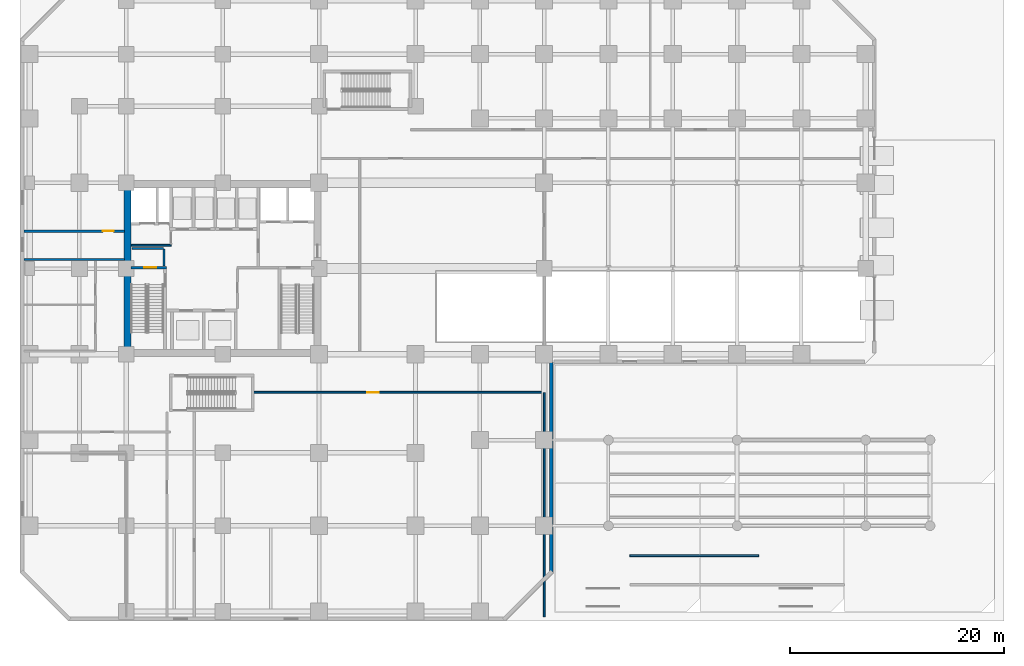
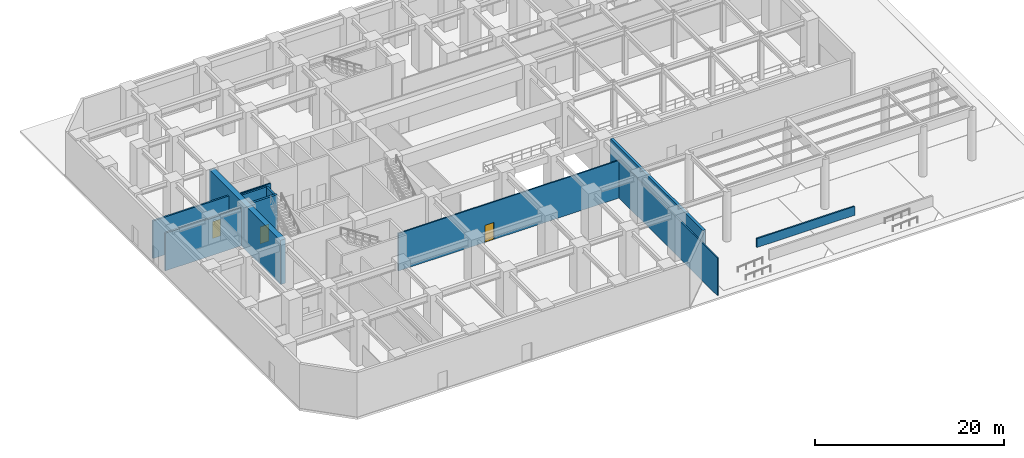
# One storey, part 5 of 13: 11 walls, 3 doors, 3 openings.
"""IFC4 building model written with IfcOpenShell, lengths in metres."""

from ifc_helpers import new_model, si_unit, direction, frame, frame_2d, origin, place, context, subcontext, project, spatial, rectangle, extrude, source, transform, mapped, material, layer, layer_set, type_object, element, fill, save


model = new_model("IFC4")

# Units and contexts
model_context = context("Model", 3, precision=1e-05, world=origin(), true_north=direction((0.0, 1.0)))
body_context = subcontext(model_context, "Body", "Model", "MODEL_VIEW")
ifc_project = project(units=[si_unit("LENGTHUNIT", "METRE"), si_unit("AREAUNIT", "SQUARE_METRE"), si_unit("VOLUMEUNIT", "CUBIC_METRE"), si_unit("PLANEANGLEUNIT", "RADIAN"), si_unit("MASSUNIT", "GRAM", prefix="KILO")], contexts=[model_context])

# Site, building, storey
site_placement = place(None, origin())
site = spatial("IfcSite", under=ifc_project, at=site_placement, CompositionType="ELEMENT")
building_placement = place(site_placement, origin())
building = spatial("IfcBuilding", under=site, at=building_placement, Name="Torre Montelarca", CompositionType="ELEMENT")
storey_placement = place(building_placement, origin())
storey = spatial("IfcBuildingStorey", under=building, at=storey_placement, Name="L01", CompositionType="ELEMENT", Elevation=0.0)

# Wall, opening, door
ifc_material_1 = material(Name="Concrete C40/50", Category="concrete")
ifc_layer_1 = layer(ifc_material_1, 0.25, Name="Concrete C40/50", Category="concrete")
ifc_layer_set_1 = layer_set([ifc_layer_1], Name="Concrete C40/50")
wall_type_1 = type_object("IfcWallType", Name="CW-SHAFT-250", PredefinedType="SHEAR", material=ifc_layer_set_1)
wall_1_placement = place(storey_placement, frame((9.4599609375, 32.074951171875, 0.0), z_axis=(0.0, 0.0, 1.0), x_axis=(1.0, 0.0, 0.0)))
wall_1 = element("IfcWall", 1, at=wall_1_placement, inside=storey, type_object=wall_type_1, Name="L01 Core Shear Wall SH-ST1-N", PredefinedType="SHEAR", context=body_context, shape_type="SweptSolid", body=[
    extrude(rectangle(XDim=3.2900390625, YDim=0.25, at=frame_2d((1.64501953125, 0.0))), origin(), (0.0, 0.0, 1.0), 5.739990234375),
])
opening_1_placement = place(wall_1_placement, frame((1.25, 0.0, 0.0)))
opening_1 = element("IfcOpeningElement", 2, at=opening_1_placement, cuts=wall_1, Name="Opening FD-110", PredefinedType="OPENING", context=body_context, shape_type="SweptSolid", body=[
    extrude(rectangle(XDim=1.10009765625, YDim=2.199951171875, at=frame_2d((0.550048828125, 1.10009765625))), frame((0.0, 0.135009765625, 0.0), z_axis=(0.0, -1.0, 0.0), x_axis=(1.0, 0.0, 0.0)), (0.0, 0.0, 1.0), 0.27001953125),
])
ifc_material_2 = material(Name="Timber fire-rated suite door", Category="wood")
door_type_1 = type_object("IfcDoorType", Name="DR-FIRE-110", OperationType="NOTDEFINED", PredefinedType="DOOR", material=ifc_material_2)
shared_shape_1 = source(origin(), body_context, "Body", "SweptSolid", [
    extrude(rectangle(XDim=1.10009765625, YDim=2.199951171875, at=frame_2d((0.550048828125, 1.10009765625))), frame((0.0, 0.02490234375, 0.0), z_axis=(0.0, -1.0, 0.0), x_axis=(1.0, 0.0, 0.0)), (0.0, 0.0, 1.0), 0.050048828125),
])
door_1_placement = place(opening_1_placement, origin())
door_1 = element("IfcDoor", 3, at=door_1_placement, inside=storey, type_object=door_type_1, Name="L01 Exit Stair ST1 Protected Discharge Door", OperationType="SINGLE_SWING_LEFT", OverallHeight=2.199951171875, OverallWidth=1.10009765625, PredefinedType="DOOR", context=body_context, shape_type="MappedRepresentation", body=[
    mapped(shared_shape_1, transform((0.0, 0.0, 0.0), scale=1.0)),
])
fill(opening_1, door_1)

# Walls
ifc_material_3 = material(Name="Concrete C70/85", Category="concrete")
ifc_layer_2 = layer(ifc_material_3, 0.64990234375, Name="Concrete C70/85", Category="concrete")
ifc_layer_set_2 = layer_set([ifc_layer_2], Name="Concrete C70/85")
wall_type_2 = type_object("IfcWallType", Name="CW-SHEAR-650", PredefinedType="SHEAR", material=ifc_layer_set_2)
wall_2_placement = place(storey_placement, frame((9.125, 24.449951171875, 0.0), z_axis=(0.0, 0.0, 1.0), x_axis=(0.0, 1.0, 0.0)))
element("IfcWall", 4, at=wall_2_placement, inside=storey, type_object=wall_type_2, Name="L01 Core Shear Wall CW-W", PredefinedType="SHEAR", context=body_context, shape_type="SweptSolid", body=[
    extrude(rectangle(XDim=15.10009765625, YDim=0.64990234375, at=frame_2d((7.550048828125, 0.0))), origin(), (0.0, 0.0, 1.0), 5.739990234375),
])
ifc_material_4 = material(Name="Precast concrete C45/55", Category="concrete")
ifc_layer_3 = layer(ifc_material_4, 0.320068359375, Name="Precast concrete C45/55", Category="concrete")
ifc_layer_set_3 = layer_set([ifc_layer_3], Name="Precast concrete C45/55")
wall_type_3 = type_object("IfcWallType", Name="EW-CONC-320", PredefinedType="SOLIDWALL", material=ifc_layer_set_3)
wall_3_placement = place(storey_placement, frame((48.679931640625, 3.60009765625, 0.0), z_axis=(0.0, 0.0, 1.0), x_axis=(0.0, 1.0, 0.0)))
element("IfcWall", 5, at=wall_3_placement, inside=storey, type_object=wall_type_3, Name="L01 Podium Precast Concrete Wall E03", PredefinedType="SOLIDWALL", context=body_context, shape_type="SweptSolid", body=[
    extrude(rectangle(XDim=19.659912109375, YDim=0.320068359375, at=frame_2d((9.830078125, 0.0))), origin(), (0.0, 0.0, 1.0), 5.739990234375),
])
ifc_layer_4 = layer(ifc_material_4, 0.179931640625, Name="Precast concrete C45/55", Category="concrete")
ifc_layer_set_4 = layer_set([ifc_layer_4], Name="Precast concrete C45/55")
wall_type_4 = type_object("IfcWallType", Name="EW-PAR-180", PredefinedType="PARAPET", material=ifc_layer_set_4)
wall_4_placement = place(storey_placement, frame((56.0, 5.199951171875, 0.0), z_axis=(0.0, 0.0, 1.0), x_axis=(1.0, 0.0, 0.0)))
element("IfcWall", 6, at=wall_4_placement, inside=storey, type_object=wall_type_4, Name="L01 Plaza Reflection Water-Court Baffle Wall North", PredefinedType="PARAPET", context=body_context, shape_type="SweptSolid", body=[
    extrude(rectangle(XDim=12.0, YDim=0.179931640625, at=frame_2d((6.0, 0.0))), origin(), (0.0, 0.0, 1.0), 1.14990234375),
])
ifc_material_5 = material(Name="Gypsum plasterboard on steel stud", Category="steel")
ifc_layer_5 = layer(ifc_material_5, 0.159912109375, Name="Gypsum plasterboard on steel stud", Category="steel")
ifc_layer_set_5 = layer_set([ifc_layer_5], Name="Gypsum plasterboard on steel stud")
wall_type_5 = type_object("IfcWallType", Name="PW-FIRE-160", PredefinedType="PARTITIONING", material=ifc_layer_set_5)
wall_5_placement = place(storey_placement, frame((9.489990234375, 34.179931640625, 0.0), z_axis=(0.0, 0.0, 1.0), x_axis=(1.0, 0.0, 0.0)))
element("IfcWall", 7, at=wall_5_placement, inside=storey, type_object=wall_type_5, Name="L01 Interior Partition CW-L01-SVS", PredefinedType="PARTITIONING", context=body_context, shape_type="SweptSolid", body=[
    extrude(rectangle(XDim=3.699951171875, YDim=0.159912109375, at=frame_2d((1.85009765625, 0.0))), origin(), (0.0, 0.0, 1.0), 5.739990234375),
])

# Wall, opening, door
wall_6_placement = place(storey_placement, frame((20.889892578125, 20.449951171875, 0.0), z_axis=(0.0, 0.0, 1.0), x_axis=(1.0, 0.0, 0.0)))
wall_6 = element("IfcWall", 8, at=wall_6_placement, inside=storey, type_object=wall_type_5, Name="L01 Interior Partition W-L01-CSE", PredefinedType="PARTITIONING", context=body_context, shape_type="SweptSolid", body=[
    extrude(rectangle(XDim=27.070068359375, YDim=0.159912109375, at=frame_2d((13.53515625, 0.0))), origin(), (0.0, 0.0, 1.0), 4.869384765625),
])
opening_2_placement = place(wall_6_placement, frame((10.60009765625, 0.0, 0.0)))
opening_2 = element("IfcOpeningElement", 9, at=opening_2_placement, cuts=wall_6, Name="Opening FD-110", PredefinedType="OPENING", context=body_context, shape_type="SweptSolid", body=[
    extrude(rectangle(XDim=1.10009765625, YDim=2.199951171875, at=frame_2d((0.550048828125, 1.10009765625))), frame((0.0, 0.08984375, 0.0), z_axis=(0.0, -1.0, 0.0), x_axis=(1.0, 0.0, 0.0)), (0.0, 0.0, 1.0), 0.179931640625),
])
door_2_placement = place(opening_2_placement, origin())
door_2 = element("IfcDoor", 10, at=door_2_placement, inside=storey, type_object=door_type_1, Name="L01 Interior Door 06", OperationType="SINGLE_SWING_RIGHT", OverallHeight=2.199951171875, OverallWidth=1.10009765625, PredefinedType="DOOR", context=body_context, shape_type="MappedRepresentation", body=[
    mapped(shared_shape_1, transform((0.0, 0.0, 0.0), scale=1.0)),
])
fill(opening_2, door_2)

# Walls
wall_7_placement = place(storey_placement, frame((48.0, -0.510009765625, 0.0), z_axis=(0.0, 0.0, 1.0), x_axis=(0.0, 1.0, 0.0)))
element("IfcWall", 11, at=wall_7_placement, inside=storey, type_object=wall_type_5, Name="L01 Interior Partition W-L01-CSES", PredefinedType="PARTITIONING", context=body_context, shape_type="SweptSolid", body=[
    extrude(rectangle(XDim=20.919921875, YDim=0.159912109375, at=frame_2d((10.4599609375, 0.0))), origin(), (0.0, 0.0, 1.0), 4.875),
])
ifc_material_6 = material(Name="Gypsum fireboard and rockwool on steel stud", Category="steel")
ifc_layer_6 = layer(ifc_material_6, 0.199951171875, Name="Gypsum fireboard and rockwool on steel stud", Category="steel")
ifc_layer_set_6 = layer_set([ifc_layer_6], Name="Gypsum fireboard and rockwool on steel stud")
wall_type_6 = type_object("IfcWallType", Name="PW-FIRE-200", PredefinedType="SOLIDWALL", material=ifc_layer_set_6)
wall_8_placement = place(storey_placement, frame((-0.510009765625, 32.85009765625, 0.0), z_axis=(0.0, 0.0, 1.0), x_axis=(1.0, 0.0, 0.0)))
element("IfcWall", 12, at=wall_8_placement, inside=storey, type_object=wall_type_6, Name="L01 Interior Partition W-L01-EXPW-S", PredefinedType="SOLIDWALL", context=body_context, shape_type="SweptSolid", body=[
    extrude(rectangle(XDim=9.3701171875, YDim=0.199951171875, at=frame_2d((4.68505859375, 0.0))), origin(), (0.0, 0.0, 1.0), 4.875),
])

# Wall, opening, door
wall_9_placement = place(storey_placement, frame((-0.510009765625, 35.47998046875, 0.0), z_axis=(0.0, 0.0, 1.0), x_axis=(1.0, 0.0, 0.0)))
wall_9 = element("IfcWall", 13, at=wall_9_placement, inside=storey, type_object=wall_type_6, Name="L01 Interior Partition W-L01-EXPW-N", PredefinedType="SOLIDWALL", context=body_context, shape_type="SweptSolid", body=[
    extrude(rectangle(XDim=9.3701171875, YDim=0.199951171875, at=frame_2d((4.68505859375, 0.0))), origin(), (0.0, 0.0, 1.0), 4.875),
])
opening_3_placement = place(wall_9_placement, frame((7.35009765625, 0.0, 0.0)))
opening_3 = element("IfcOpeningElement", 14, at=opening_3_placement, cuts=wall_9, Name="Opening FD-100", PredefinedType="OPENING", context=body_context, shape_type="SweptSolid", body=[
    extrude(rectangle(XDim=1.0, YDim=2.14990234375, at=frame_2d((0.5, 1.074951171875))), frame((0.0, 0.10986328125, 0.0), z_axis=(0.0, -1.0, 0.0), x_axis=(1.0, 0.0, 0.0)), (0.0, 0.0, 1.0), 0.219970703125),
])
ifc_material_7 = material(Name="Timber fire-rated room door", Category="wood")
door_type_2 = type_object("IfcDoorType", Name="DR-FIRE-100", OperationType="NOTDEFINED", PredefinedType="DOOR", material=ifc_material_7)
shared_shape_2 = source(origin(), body_context, "Body", "SweptSolid", [
    extrude(rectangle(XDim=1.0, YDim=2.14990234375, at=frame_2d((0.5, 1.074951171875))), frame((0.0, 0.02490234375, 0.0), z_axis=(0.0, -1.0, 0.0), x_axis=(1.0, 0.0, 0.0)), (0.0, 0.0, 1.0), 0.050048828125),
])
door_3_placement = place(opening_3_placement, origin())
door_3 = element("IfcDoor", 15, at=door_3_placement, inside=storey, type_object=door_type_2, Name="L01 Interior Door 13", OperationType="SINGLE_SWING_RIGHT", OverallHeight=2.14990234375, OverallWidth=1.0, PredefinedType="DOOR", context=body_context, shape_type="MappedRepresentation", body=[
    mapped(shared_shape_2, transform((0.0, 0.0, 0.0), scale=1.0)),
])
fill(opening_3, door_3)

# Walls
wall_10_placement = place(storey_placement, frame((9.5400390625, 33.860107421875, 0.0), z_axis=(0.0, 0.0, 1.0), x_axis=(1.0, 0.0, 0.0)))
element("IfcWall", 16, at=wall_10_placement, inside=storey, type_object=wall_type_6, Name="L01 Interior Partition W-L01-EXPSV", PredefinedType="SOLIDWALL", context=body_context, shape_type="SweptSolid", body=[
    extrude(rectangle(XDim=2.969970703125, YDim=0.199951171875, at=frame_2d((1.48486328125, 0.0))), origin(), (0.0, 0.0, 1.0), 5.739990234375),
])
wall_11_placement = place(storey_placement, frame((12.550048828125, 32.219970703125, 0.0), z_axis=(0.0, 0.0, 1.0), x_axis=(0.0, 1.0, 0.0)))
element("IfcWall", 17, at=wall_11_placement, inside=storey, type_object=wall_type_6, Name="L01 Interior Partition W-L01-EXPW-E", PredefinedType="SOLIDWALL", context=body_context, shape_type="SweptSolid", body=[
    extrude(rectangle(XDim=1.60009765625, YDim=0.199951171875, at=frame_2d((0.800048828125, 0.0))), origin(), (0.0, 0.0, 1.0), 5.739990234375),
])

save(model, "model.ifc")
